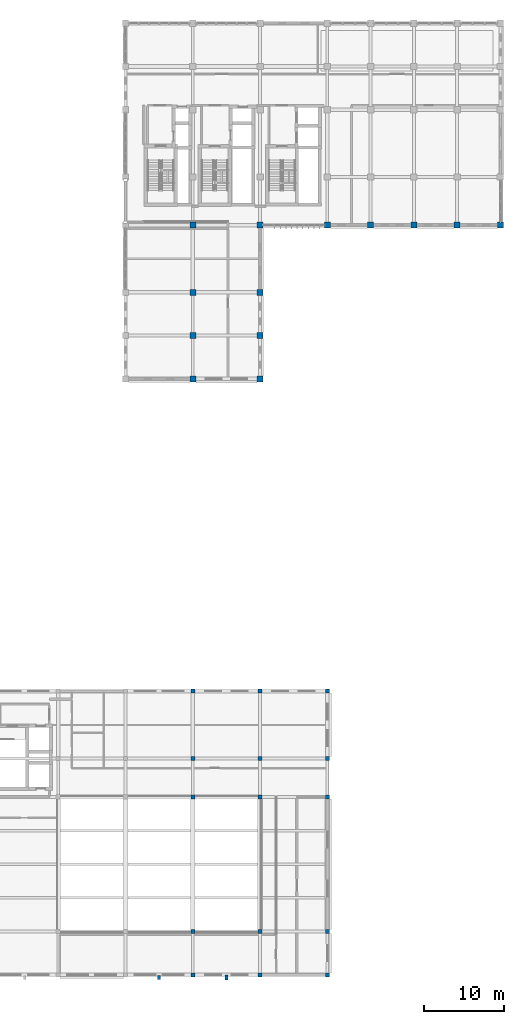
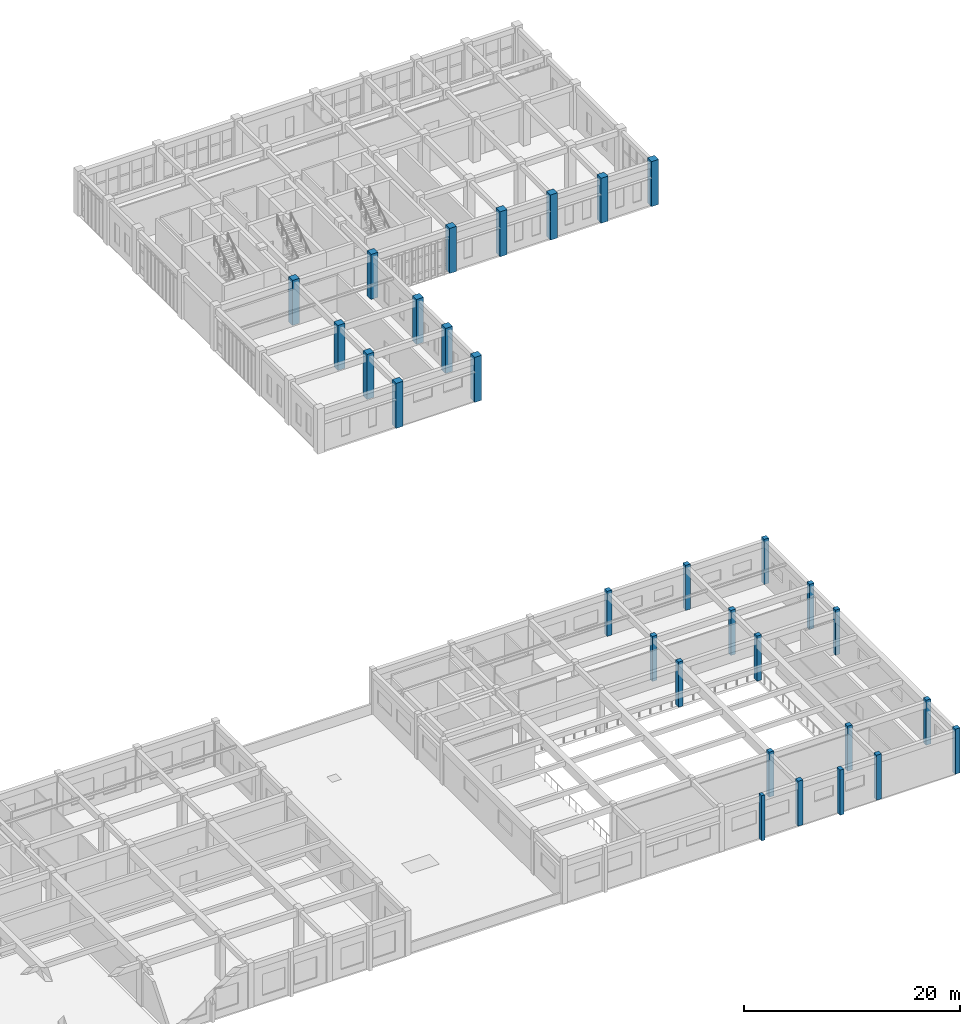
# One storey, part 8 of 77: 30 columns.
"""IFC4 building model written with IfcOpenShell, lengths in metres."""

from ifc_helpers import new_model, si_unit, direction, frame, origin, origin_2d, place, context, subcontext, project, spatial, rectangle, extrude, material, material_profile, profile_set, type_object, element, save


model = new_model("IFC4")

# Units and contexts
model_context = context("Model", 3, precision=1e-05, world=origin(), true_north=direction((0.0, 1.0)))
body_context = subcontext(model_context, "Body", "Model", "MODEL_VIEW")
ifc_project = project(units=[si_unit("LENGTHUNIT", "METRE"), si_unit("AREAUNIT", "SQUARE_METRE"), si_unit("VOLUMEUNIT", "CUBIC_METRE"), si_unit("PLANEANGLEUNIT", "RADIAN"), si_unit("MASSUNIT", "GRAM", prefix="KILO")], contexts=[model_context])

# Site, building, storey
site_placement = place(None, origin())
site = spatial("IfcSite", under=ifc_project, at=site_placement, CompositionType="ELEMENT")
building_placement = place(site_placement, origin())
building = spatial("IfcBuilding", under=site, at=building_placement, Name="Krzemoval Escarpment Law Courts", CompositionType="ELEMENT")
storey_placement = place(building_placement, frame((0.0, 0.0, 15.300048828125)))
storey = spatial("IfcBuildingStorey", under=building, at=storey_placement, Name="L03", CompositionType="ELEMENT", Elevation=15.300048828125)

# Columns
ifc_material_1 = material(Name="Concrete C40/50", Category="concrete")
ifc_material_profile_1 = material_profile(ifc_material_1, rectangle(XDim=0.5, YDim=0.5, at=origin_2d()), Name="RC 500x500")
ifc_profile_set_1 = profile_set([ifc_material_profile_1], Name="Concrete C40/50")
column_type_1 = type_object("IfcColumnType", Name="COL-RC-500", PredefinedType="COLUMN", material=ifc_profile_set_1)
for number, where, z_axis, x_axis, name in (
    (1, (134.39990234375, 0.0, 0.0), (0.0, 0.0, 1.0), (1.0, 0.0, 0.0), "Column FC-L03-1116"),
    (2, (134.39990234375, 5.39990234375, 0.0), (0.0, 0.0, 1.0), (1.0, 0.0, 0.0), "Column FC-L03-1117"),
    (3, (134.39990234375, 22.199951171875, 0.0), (0.0, 0.0, 1.0), (1.0, 0.0, 0.0), "Column FC-L03-1118"),
    (4, (134.39990234375, 27.0, 0.0), (0.0, 0.0, 1.0), (1.0, 0.0, 0.0), "Column FC-L03-1119"),
    (5, (134.39990234375, 35.39990234375, 0.0), (0.0, 0.0, 1.0), (1.0, 0.0, 0.0), "Column FC-L03-1120"),
    (6, (142.800048828125, 0.0, 0.0), (0.0, 0.0, 1.0), (1.0, 0.0, 0.0), "Column FC-L03-1129"),
    (7, (142.800048828125, 5.39990234375, 0.0), (0.0, 0.0, 1.0), (1.0, 0.0, 0.0), "Column FC-L03-1130"),
    (8, (142.800048828125, 22.199951171875, 0.0), (0.0, 0.0, 1.0), (1.0, 0.0, 0.0), "Column FC-L03-1131"),
    (9, (142.800048828125, 27.0, 0.0), (0.0, 0.0, 1.0), (1.0, 0.0, 0.0), "Column FC-L03-1132"),
    (10, (142.800048828125, 35.39990234375, 0.0), (0.0, 0.0, 1.0), (1.0, 0.0, 0.0), "Column FC-L03-1133"),
    (11, (151.199951171875, 0.0, 0.0), (0.0, 0.0, 1.0), (1.0, 0.0, 0.0), "Column FC-L03-1142"),
    (12, (151.199951171875, 5.39990234375, 0.0), (0.0, 0.0, 1.0), (1.0, 0.0, 0.0), "Column FC-L03-1143"),
    (13, (151.199951171875, 22.199951171875, 0.0), (0.0, 0.0, 1.0), (1.0, 0.0, 0.0), "Column FC-L03-1144"),
    (14, (151.199951171875, 27.0, 0.0), (0.0, 0.0, 1.0), (1.0, 0.0, 0.0), "Column FC-L03-1145"),
    (15, (151.199951171875, 35.39990234375, 0.0), (0.0, 0.0, 1.0), (1.0, 0.0, 0.0), "Column FC-L03-1146"),
):
    element("IfcColumn", number, at=place(storey_placement, frame(where, z_axis=z_axis, x_axis=x_axis)), inside=storey, type_object=column_type_1, Name=name, PredefinedType="COLUMN", context=body_context, shape_type="SweptSolid", body=[
        extrude(rectangle(XDim=0.5, YDim=0.5, at=origin_2d()), origin(), (0.0, 0.0, 1.0), 5.099853515625),
    ])
ifc_material_2 = material(Name="Concrete C40/50", Category="concrete")
ifc_material_profile_2 = material_profile(ifc_material_2, rectangle(XDim=0.75, YDim=0.75, at=origin_2d()), Name="RC 750x750")
ifc_profile_set_2 = profile_set([ifc_material_profile_2], Name="Concrete C40/50")
column_type_2 = type_object("IfcColumnType", Name="COL-RC-750", PredefinedType="COLUMN", material=ifc_profile_set_2)
for number, where, z_axis, x_axis, name in (
    (16, (134.39990234375, 74.39990234375, 0.0), (0.0, 0.0, 1.0), (1.0, 0.0, 0.0), "Column FC-L03-1121"),
    (17, (134.39990234375, 79.800048828125, 0.0), (0.0, 0.0, 1.0), (1.0, 0.0, 0.0), "Column FC-L03-1122"),
    (18, (134.39990234375, 85.199951171875, 0.0), (0.0, 0.0, 1.0), (1.0, 0.0, 0.0), "Column FC-L03-1123"),
    (19, (134.39990234375, 93.60009765625, 0.0), (0.0, 0.0, 1.0), (1.0, 0.0, 0.0), "Column FC-L03-1124"),
    (20, (142.800048828125, 74.39990234375, 0.0), (0.0, 0.0, 1.0), (1.0, 0.0, 0.0), "Column FC-L03-1134"),
    (21, (142.800048828125, 79.800048828125, 0.0), (0.0, 0.0, 1.0), (1.0, 0.0, 0.0), "Column FC-L03-1135"),
    (22, (142.800048828125, 85.199951171875, 0.0), (0.0, 0.0, 1.0), (1.0, 0.0, 0.0), "Column FC-L03-1136"),
    (23, (142.800048828125, 93.60009765625, 0.0), (0.0, 0.0, 1.0), (1.0, 0.0, 0.0), "Column FC-L03-1137"),
    (24, (151.199951171875, 93.60009765625, 0.0), (0.0, 0.0, 1.0), (1.0, 0.0, 0.0), "Column FC-L03-1147"),
    (25, (156.60009765625, 93.60009765625, 0.0), (0.0, 0.0, 1.0), (1.0, 0.0, 0.0), "Column FC-L03-1152"),
    (26, (162.0, 93.60009765625, 0.0), (0.0, 0.0, 1.0), (1.0, 0.0, 0.0), "Column FC-L03-1157"),
    (27, (167.39990234375, 93.60009765625, 0.0), (0.0, 0.0, 1.0), (1.0, 0.0, 0.0), "Column FC-L03-1162"),
    (28, (172.800048828125, 93.60009765625, 0.0), (0.0, 0.0, 1.0), (1.0, 0.0, 0.0), "Column FC-L03-1167"),
):
    element("IfcColumn", number, at=place(storey_placement, frame(where, z_axis=z_axis, x_axis=x_axis)), inside=storey, type_object=column_type_2, Name=name, PredefinedType="COLUMN", context=body_context, shape_type="SweptSolid", body=[
        extrude(rectangle(XDim=0.75, YDim=0.75, at=origin_2d()), origin(), (0.0, 0.0, 1.0), 5.099853515625),
    ])
ifc_material_3 = material(Name="Precast concrete C40/50", Category="concrete")
ifc_material_profile_3 = material_profile(ifc_material_3, rectangle(XDim=0.35009765625, YDim=0.5, at=origin_2d()), Name="PIL 350x500")
ifc_profile_set_3 = profile_set([ifc_material_profile_3], Name="Precast concrete C40/50")
column_type_3 = type_object("IfcColumnType", Name="PIL-PC-350x500", PredefinedType="PILASTER", material=ifc_profile_set_3)
column_1_placement = place(storey_placement, frame((130.199951171875, -0.35009765625, 0.0), z_axis=(0.0, 0.0, 1.0), x_axis=(1.0, 0.0, 0.0)))
element("IfcColumn", 29, at=column_1_placement, inside=storey, type_object=column_type_3, Name="Facade Pilaster PIL-L03-055", PredefinedType="PILASTER", context=body_context, shape_type="SweptSolid", body=[
    extrude(rectangle(XDim=0.35009765625, YDim=0.5, at=origin_2d()), origin(), (0.0, 0.0, 1.0), 5.099853515625),
])
ifc_material_4 = material(Name="Precast concrete C40/50", Category="concrete")
ifc_material_profile_4 = material_profile(ifc_material_4, rectangle(XDim=0.39990234375, YDim=0.60009765625, at=origin_2d()), Name="PIL 400x600")
ifc_profile_set_4 = profile_set([ifc_material_profile_4], Name="Precast concrete C40/50")
column_type_4 = type_object("IfcColumnType", Name="PIL-PC-400x600", PredefinedType="PILASTER", material=ifc_profile_set_4)
column_2_placement = place(storey_placement, frame((138.60009765625, -0.35009765625, 0.0), z_axis=(0.0, 0.0, 1.0), x_axis=(1.0, 0.0, 0.0)))
element("IfcColumn", 30, at=column_2_placement, inside=storey, type_object=column_type_4, Name="Facade Pilaster PIL-L03-060", PredefinedType="PILASTER", context=body_context, shape_type="SweptSolid", body=[
    extrude(rectangle(XDim=0.39990234375, YDim=0.60009765625, at=origin_2d()), origin(), (0.0, 0.0, 1.0), 5.099853515625),
])

save(model, "model.ifc")
